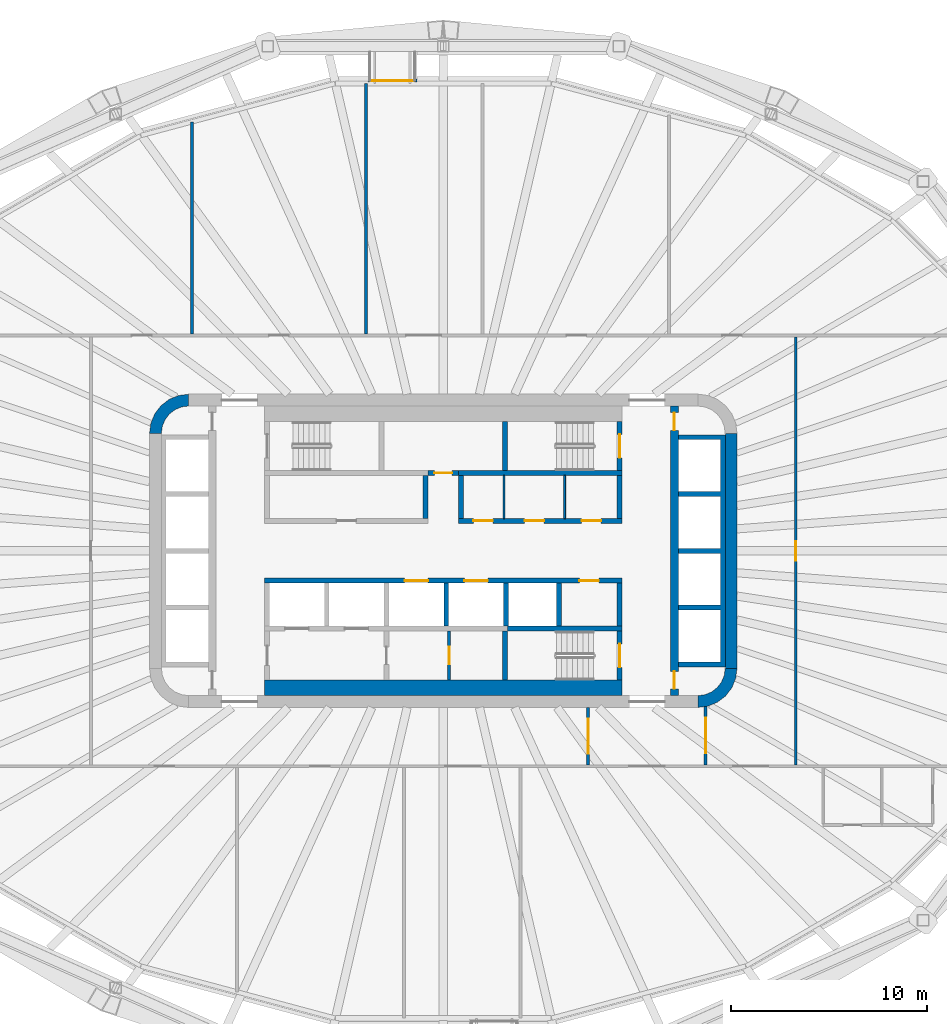
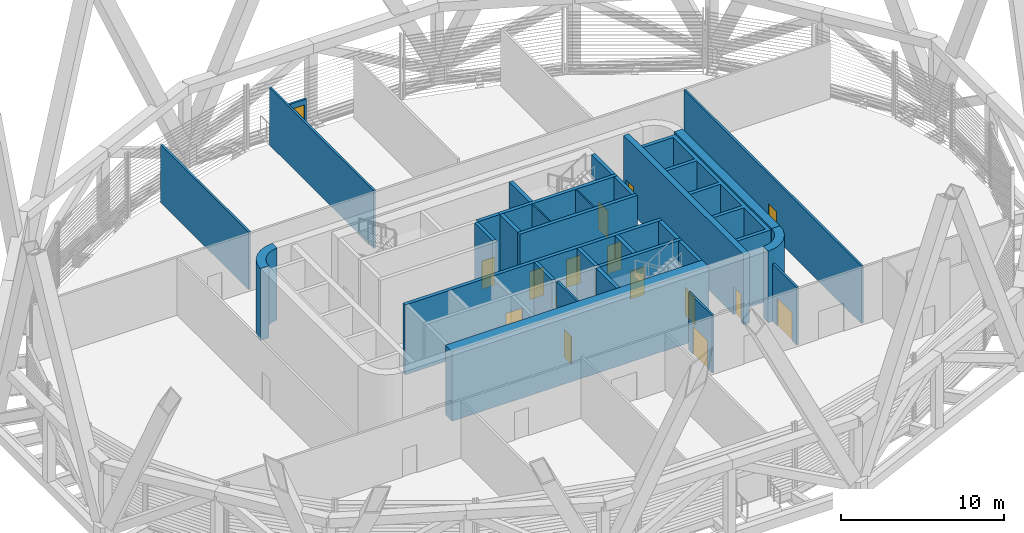
# One storey, part 7 of 18: 31 walls, 16 doors, 16 openings.
"""IFC4 building model written with IfcOpenShell, lengths in metres."""

from ifc_helpers import new_model, si_unit, direction, frame, frame_2d, origin, place, context, subcontext, project, spatial, polyline, rectangle, outline, extrude, material, layer, layer_set, type_object, element, fill, save


model = new_model("IFC4")

# Units and contexts
model_context = context("Model", 3, precision=1e-05, world=origin(), true_north=direction((0.0, 1.0)))
body_context = subcontext(model_context, "Body", "Model", "MODEL_VIEW")
ifc_project = project(units=[si_unit("LENGTHUNIT", "METRE"), si_unit("AREAUNIT", "SQUARE_METRE"), si_unit("VOLUMEUNIT", "CUBIC_METRE"), si_unit("PLANEANGLEUNIT", "RADIAN"), si_unit("MASSUNIT", "GRAM", prefix="KILO")], contexts=[model_context])

# Site, building, storey
site_placement = place(None, origin())
site = spatial("IfcSite", under=ifc_project, at=site_placement, CompositionType="ELEMENT")
building_placement = place(site_placement, origin())
building = spatial("IfcBuilding", under=site, at=building_placement, Name="Sahrelin Media Tower", CompositionType="ELEMENT")
storey_placement = place(building_placement, frame((0.0, 0.0, 96.60009765625)))
storey = spatial("IfcBuildingStorey", under=building, at=storey_placement, Name="L18", CompositionType="ELEMENT", Elevation=96.60009765625)

# Walls
ifc_material_1 = material(Name="Concrete C60/75", Category="concrete")
ifc_layer_1 = layer(ifc_material_1, 0.60009765625)
ifc_layer_set_1 = layer_set([ifc_layer_1], Name="Core wall 600")
wall_type_1 = type_object("IfcWallType", Name="Core wall 600", PredefinedType="SHEAR", material=ifc_layer_set_1)
wall_1_placement = place(storey_placement, frame((14.699951171875, -6.0, 0.0), z_axis=(0.0, 0.0, 1.0), x_axis=(0.0, 1.0, 0.0)))
element("IfcWall", 1, at=wall_1_placement, inside=storey, type_object=wall_type_1, Name="Core wall E L18", PredefinedType="SHEAR", context=body_context, shape_type="SweptSolid", body=[
    extrude(rectangle(XDim=12.0, YDim=0.60009765625, at=frame_2d((6.0, 0.0))), origin(), (0.0, 0.0, 1.0), 5.39990234375),
])
placement = place(storey_placement, origin())
element("IfcWall", 2, at=placement, inside=storey, type_object=wall_type_1, Name="Core wall corner NW L18", PredefinedType="SHEAR", context=body_context, shape_type="SweptSolid", body=[
    extrude(outline(polyline([(-15.0, 6.0), (-14.394775390625, 6.0), (-14.347412109375, 6.361083984375), (-14.2080078125, 6.697509765625), (-13.986328125, 6.986328125), (-13.697509765625, 7.2080078125), (-13.361083984375, 7.347412109375), (-13.0, 7.394775390625), (-13.0, 8.0), (-13.517578125, 7.931884765625), (-14.0, 7.732177734375), (-14.414306640625, 7.414306640625), (-14.732177734375, 7.0), (-14.931884765625, 6.517578125), (-15.0, 6.0)])), origin(), (0.0, 0.0, 1.0), 5.39990234375),
])
element("IfcWall", 3, at=placement, inside=storey, type_object=wall_type_1, Name="Core wall corner SE L18", PredefinedType="SHEAR", context=body_context, shape_type="SweptSolid", body=[
    extrude(outline(polyline([(15.0, -6.0), (14.394775390625, -6.0), (14.347412109375, -6.361083984375), (14.2080078125, -6.697509765625), (13.986328125, -6.986328125), (13.697509765625, -7.2080078125), (13.361083984375, -7.347412109375), (13.0, -7.394775390625), (13.0, -8.0), (13.517578125, -7.931884765625), (14.0, -7.732177734375), (14.414306640625, -7.414306640625), (14.732177734375, -7.0), (14.931884765625, -6.517578125), (15.0, -6.0)])), origin(), (0.0, 0.0, 1.0), 5.39990234375),
])

# Wall, opening, door
ifc_material_2 = material(Name="Fire-rated gypsum board partition")
ifc_layer_2 = layer(ifc_material_2, 0.14990234375)
ifc_layer_set_2 = layer_set([ifc_layer_2], Name="Fire-rated lobby wall 150")
wall_type_2 = type_object("IfcWallType", Name="Fire-rated lobby wall 150", PredefinedType="PARTITIONING", material=ifc_layer_set_2)
wall_4_placement = place(storey_placement, frame((7.39990234375, -10.925048828125, 0.0), z_axis=(0.0, 0.0, 1.0), x_axis=(0.0, 1.0, 0.0)))
wall_4 = element("IfcWall", 4, at=wall_4_placement, inside=storey, type_object=wall_type_2, Name="Wall", PredefinedType="PARTITIONING", context=body_context, shape_type="SweptSolid", body=[
    extrude(rectangle(XDim=2.925048828125, YDim=0.14990234375, at=frame_2d((1.46240234375, 0.0))), origin(), (0.0, 0.0, 1.0), 4.326904296875),
])
opening_1_placement = place(wall_4_placement, frame((0.56201171875, 0.0, 0.0)))
opening_1 = element("IfcOpeningElement", 5, at=opening_1_placement, cuts=wall_4, Name="Opening L18-D29", PredefinedType="OPENING", context=body_context, shape_type="SweptSolid", body=[
    extrude(rectangle(XDim=1.800048828125, YDim=2.10009765625, at=frame_2d((0.89990234375, 1.050048828125))), frame((0.0, 0.074951171875, 0.0), z_axis=(0.0, -1.0, 0.0), x_axis=(1.0, 0.0, 0.0)), (0.0, 0.0, 1.0), 0.14990234375),
])
ifc_material_3 = material(Name="Steel fire door leaf", Category="steel")
door_type_1 = type_object("IfcDoorType", Name="Lobby double door 1800 x 2100 EI 60", OperationType="DOUBLE_DOOR_SINGLE_SWING", PredefinedType="DOOR", material=ifc_material_3)
door_1_placement = place(opening_1_placement, origin())
door_1 = element("IfcDoor", 6, at=door_1_placement, inside=storey, type_object=door_type_1, Name="Lobby double door", OperationType="DOUBLE_DOOR_SINGLE_SWING", OverallHeight=2.10009765625, OverallWidth=1.800048828125, PredefinedType="DOOR", context=body_context, shape_type="SweptSolid", body=[
    extrude(rectangle(XDim=1.800048828125, YDim=2.10009765625, at=frame_2d((0.89990234375, 1.050048828125))), frame((0.0, 0.02490234375, 0.0), z_axis=(0.0, -1.0, 0.0), x_axis=(1.0, 0.0, 0.0)), (0.0, 0.0, 1.0), 0.050048828125),
])
fill(opening_1, door_1)

wall_5_placement = place(storey_placement, frame((13.39990234375, -10.925048828125, 0.0), z_axis=(0.0, 0.0, 1.0), x_axis=(0.0, 1.0, 0.0)))
wall_5 = element("IfcWall", 7, at=wall_5_placement, inside=storey, type_object=wall_type_2, Name="Wall", PredefinedType="PARTITIONING", context=body_context, shape_type="SweptSolid", body=[
    extrude(rectangle(XDim=2.9775390625, YDim=0.14990234375, at=frame_2d((1.48876953125, 0.0))), origin(), (0.0, 0.0, 1.0), 4.326904296875),
])
opening_2_placement = place(wall_5_placement, frame((0.589111328125, 0.0, 0.0)))
opening_2 = element("IfcOpeningElement", 8, at=opening_2_placement, cuts=wall_5, Name="Opening L18-D30", PredefinedType="OPENING", context=body_context, shape_type="SweptSolid", body=[
    extrude(rectangle(XDim=1.800048828125, YDim=2.10009765625, at=frame_2d((0.89990234375, 1.050048828125))), frame((0.0, 0.074951171875, 0.0), z_axis=(0.0, -1.0, 0.0), x_axis=(1.0, 0.0, 0.0)), (0.0, 0.0, 1.0), 0.14990234375),
])
door_2_placement = place(opening_2_placement, origin())
door_2 = element("IfcDoor", 9, at=door_2_placement, inside=storey, type_object=door_type_1, Name="Lobby double door", OperationType="DOUBLE_DOOR_SINGLE_SWING", OverallHeight=2.10009765625, OverallWidth=1.800048828125, PredefinedType="DOOR", context=body_context, shape_type="SweptSolid", body=[
    extrude(rectangle(XDim=1.800048828125, YDim=2.10009765625, at=frame_2d((0.89990234375, 1.050048828125))), frame((0.0, 0.02490234375, 0.0), z_axis=(0.0, -1.0, 0.0), x_axis=(1.0, 0.0, 0.0)), (0.0, 0.0, 1.0), 0.050048828125),
])
fill(opening_2, door_2)

ifc_layer_3 = layer(ifc_material_2, 0.25)
ifc_layer_set_3 = layer_set([ifc_layer_3], Name="Fire-rated lobby wall 250")
wall_type_3 = type_object("IfcWallType", Name="Fire-rated lobby wall 250", PredefinedType="PARTITIONING", material=ifc_layer_set_3)
wall_6_placement = place(storey_placement, frame((-0.77490234375, 3.97509765625, 0.0), z_axis=(0.0, 0.0, 1.0), x_axis=(1.0, 0.0, 0.0)))
wall_6 = element("IfcWall", 10, at=wall_6_placement, inside=storey, type_object=wall_type_3, Name="Core lobby wall", PredefinedType="PARTITIONING", context=body_context, shape_type="SweptSolid", body=[
    extrude(rectangle(XDim=1.5498046875, YDim=0.25, at=frame_2d((0.77490234375, 0.0))), origin(), (0.0, 0.0, 1.0), 5.25),
])
opening_3_placement = place(wall_6_placement, frame((0.324951171875, 0.0, 0.0)))
opening_3 = element("IfcOpeningElement", 11, at=opening_3_placement, cuts=wall_6, Name="Opening L18-D06", PredefinedType="OPENING", context=body_context, shape_type="SweptSolid", body=[
    extrude(rectangle(XDim=0.89990234375, YDim=2.10009765625, at=frame_2d((0.449951171875, 1.050048828125))), frame((0.0, 0.125, 0.0), z_axis=(0.0, -1.0, 0.0), x_axis=(1.0, 0.0, 0.0)), (0.0, 0.0, 1.0), 0.25),
])
door_type_2 = type_object("IfcDoorType", Name="Riser door 900 x 2100 EI 120", OperationType="NOTDEFINED", PredefinedType="DOOR", material=ifc_material_3)
door_3_placement = place(opening_3_placement, origin())
door_3 = element("IfcDoor", 12, at=door_3_placement, inside=storey, type_object=door_type_2, Name="Core room door", OperationType="SINGLE_SWING_LEFT", OverallHeight=2.10009765625, OverallWidth=0.89990234375, PredefinedType="DOOR", context=body_context, shape_type="SweptSolid", body=[
    extrude(rectangle(XDim=0.89990234375, YDim=2.10009765625, at=frame_2d((0.449951171875, 1.050048828125))), frame((0.0, 0.02490234375, 0.0), z_axis=(0.0, -1.0, 0.0), x_axis=(1.0, 0.0, 0.0)), (0.0, 0.0, 1.0), 0.050048828125),
])
fill(opening_3, door_3)

# Wall, openings, doors
wall_7_placement = place(storey_placement, frame((0.77490234375, 1.52490234375, 0.0), z_axis=(0.0, 0.0, 1.0), x_axis=(1.0, 0.0, 0.0)))
wall_7 = element("IfcWall", 13, at=wall_7_placement, inside=storey, type_object=wall_type_3, Name="Core lobby wall", PredefinedType="PARTITIONING", context=body_context, shape_type="SweptSolid", body=[
    extrude(rectangle(XDim=8.35009765625, YDim=0.25, at=frame_2d((4.175048828125, 0.0))), origin(), (0.0, 0.0, 1.0), 5.25),
])
opening_4_placement = place(wall_7_placement, frame((0.762451171875, 0.0, 0.0)))
opening_4 = element("IfcOpeningElement", 14, at=opening_4_placement, cuts=wall_7, Name="Opening L18-D09", PredefinedType="OPENING", context=body_context, shape_type="SweptSolid", body=[
    extrude(rectangle(XDim=1.0, YDim=2.10009765625, at=frame_2d((0.5, 1.050048828125))), frame((0.0, 0.125, 0.0), z_axis=(0.0, -1.0, 0.0), x_axis=(1.0, 0.0, 0.0)), (0.0, 0.0, 1.0), 0.25),
])
opening_5_placement = place(wall_7_placement, frame((3.375, 0.0, 0.0)))
opening_5 = element("IfcOpeningElement", 15, at=opening_5_placement, cuts=wall_7, Name="Opening L18-D10", PredefinedType="OPENING", context=body_context, shape_type="SweptSolid", body=[
    extrude(rectangle(XDim=1.0, YDim=2.10009765625, at=frame_2d((0.5, 1.050048828125))), frame((0.0, 0.125, 0.0), z_axis=(0.0, -1.0, 0.0), x_axis=(1.0, 0.0, 0.0)), (0.0, 0.0, 1.0), 0.25),
])
opening_6_placement = place(wall_7_placement, frame((6.28759765625, 0.0, 0.0)))
opening_6 = element("IfcOpeningElement", 16, at=opening_6_placement, cuts=wall_7, Name="Opening L18-D11", PredefinedType="OPENING", context=body_context, shape_type="SweptSolid", body=[
    extrude(rectangle(XDim=1.0, YDim=2.10009765625, at=frame_2d((0.5, 1.050048828125))), frame((0.0, 0.125, 0.0), z_axis=(0.0, -1.0, 0.0), x_axis=(1.0, 0.0, 0.0)), (0.0, 0.0, 1.0), 0.25),
])
door_type_3 = type_object("IfcDoorType", Name="Fire door 1000 x 2100 EI 60", OperationType="NOTDEFINED", PredefinedType="DOOR", material=ifc_material_3)
door_4_placement = place(opening_4_placement, origin())
door_4 = element("IfcDoor", 17, at=door_4_placement, inside=storey, type_object=door_type_3, Name="Core room door", OperationType="SINGLE_SWING_LEFT", OverallHeight=2.10009765625, OverallWidth=1.0, PredefinedType="DOOR", context=body_context, shape_type="SweptSolid", body=[
    extrude(rectangle(XDim=1.0, YDim=2.10009765625, at=frame_2d((0.5, 1.050048828125))), frame((0.0, 0.02490234375, 0.0), z_axis=(0.0, -1.0, 0.0), x_axis=(1.0, 0.0, 0.0)), (0.0, 0.0, 1.0), 0.050048828125),
])
fill(opening_4, door_4)
door_5_placement = place(opening_5_placement, origin())
door_5 = element("IfcDoor", 18, at=door_5_placement, inside=storey, type_object=door_type_3, Name="Core room door", OperationType="SINGLE_SWING_LEFT", OverallHeight=2.10009765625, OverallWidth=1.0, PredefinedType="DOOR", context=body_context, shape_type="SweptSolid", body=[
    extrude(rectangle(XDim=1.0, YDim=2.10009765625, at=frame_2d((0.5, 1.050048828125))), frame((0.0, 0.02490234375, 0.0), z_axis=(0.0, -1.0, 0.0), x_axis=(1.0, 0.0, 0.0)), (0.0, 0.0, 1.0), 0.050048828125),
])
fill(opening_5, door_5)
door_6_placement = place(opening_6_placement, origin())
door_6 = element("IfcDoor", 19, at=door_6_placement, inside=storey, type_object=door_type_3, Name="Core room door", OperationType="SINGLE_SWING_LEFT", OverallHeight=2.10009765625, OverallWidth=1.0, PredefinedType="DOOR", context=body_context, shape_type="SweptSolid", body=[
    extrude(rectangle(XDim=1.0, YDim=2.10009765625, at=frame_2d((0.5, 1.050048828125))), frame((0.0, 0.02490234375, 0.0), z_axis=(0.0, -1.0, 0.0), x_axis=(1.0, 0.0, 0.0)), (0.0, 0.0, 1.0), 0.050048828125),
])
fill(opening_6, door_6)

# Walls
for number, where, z_axis, x_axis, name in (
    (20, (-0.89990234375, 1.64990234375, 0.0), (0.0, 0.0, 1.0), (0.0, 1.0, 0.0), "Core lobby wall"),
    (21, (9.0, 1.64990234375, 0.0), (0.0, 0.0, 1.0), (0.0, 1.0, 0.0), "Core lobby wall"),
    (22, (0.89990234375, 1.64990234375, 0.0), (0.0, 0.0, 1.0), (0.0, 1.0, 0.0), "Core lobby wall"),
):
    element("IfcWall", number, at=place(storey_placement, frame(where, z_axis=z_axis, x_axis=x_axis)), inside=storey, type_object=wall_type_3, Name=name, PredefinedType="PARTITIONING", context=body_context, shape_type="SweptSolid", body=[
        extrude(rectangle(XDim=2.2001953125, YDim=0.25, at=frame_2d((1.10009765625, 0.0))), origin(), (0.0, 0.0, 1.0), 5.25),
    ])
ifc_layer_4 = layer(ifc_material_2, 0.10009765625)
ifc_layer_set_4 = layer_set([ifc_layer_4], Name="Fire-rated partition 100")
wall_type_4 = type_object("IfcWallType", Name="Fire-rated partition 100", PredefinedType="PARTITIONING", material=ifc_layer_set_4)
for number, where, z_axis, x_axis, name in (
    (23, (3.10009765625, 1.64990234375, 0.0), (0.0, 0.0, 1.0), (0.0, 1.0, 0.0), "Core room partition"),
    (24, (6.199951171875, 1.64990234375, 0.0), (0.0, 0.0, 1.0), (0.0, 1.0, 0.0), "Core room partition"),
):
    element("IfcWall", number, at=place(storey_placement, frame(where, z_axis=z_axis, x_axis=x_axis)), inside=storey, type_object=wall_type_4, Name=name, PredefinedType="PARTITIONING", context=body_context, shape_type="SweptSolid", body=[
        extrude(rectangle(XDim=2.2001953125, YDim=0.10009765625, at=frame_2d((1.10009765625, 0.0))), origin(), (0.0, 0.0, 1.0), 5.25),
    ])

# Wall, opening, door
ifc_layer_5 = layer(ifc_material_2, 0.14990234375)
ifc_layer_set_5 = layer_set([ifc_layer_5], Name="Fire-rated partition 150")
wall_type_5 = type_object("IfcWallType", Name="Fire-rated partition 150", PredefinedType="PARTITIONING", material=ifc_layer_set_5)
wall_8_placement = place(storey_placement, frame((0.300048828125, -6.60009765625, 0.0), z_axis=(0.0, 0.0, 1.0), x_axis=(0.0, 1.0, 0.0)))
wall_8 = element("IfcWall", 25, at=wall_8_placement, inside=storey, type_object=wall_type_5, Name="Core room fire partition", PredefinedType="PARTITIONING", context=body_context, shape_type="SweptSolid", body=[
    extrude(rectangle(XDim=2.5, YDim=0.14990234375, at=frame_2d((1.25, 0.0))), origin(), (0.0, 0.0, 1.0), 5.25),
])
opening_7_placement = place(wall_8_placement, frame((0.800048828125, 0.0, 0.0)))
opening_7 = element("IfcOpeningElement", 26, at=opening_7_placement, cuts=wall_8, Name="Opening L18-D07", PredefinedType="OPENING", context=body_context, shape_type="SweptSolid", body=[
    extrude(rectangle(XDim=0.89990234375, YDim=2.10009765625, at=frame_2d((0.449951171875, 1.050048828125))), frame((0.0, 0.074951171875, 0.0), z_axis=(0.0, -1.0, 0.0), x_axis=(1.0, 0.0, 0.0)), (0.0, 0.0, 1.0), 0.14990234375),
])
door_type_4 = type_object("IfcDoorType", Name="Fire door 900 x 2100 EI 60", OperationType="NOTDEFINED", PredefinedType="DOOR", material=ifc_material_3)
door_7_placement = place(opening_7_placement, origin())
door_7 = element("IfcDoor", 27, at=door_7_placement, inside=storey, type_object=door_type_4, Name="Core room door", OperationType="SINGLE_SWING_RIGHT", OverallHeight=2.10009765625, OverallWidth=0.89990234375, PredefinedType="DOOR", context=body_context, shape_type="SweptSolid", body=[
    extrude(rectangle(XDim=0.89990234375, YDim=2.10009765625, at=frame_2d((0.449951171875, 1.050048828125))), frame((0.0, 0.02490234375, 0.0), z_axis=(0.0, -1.0, 0.0), x_axis=(1.0, 0.0, 0.0)), (0.0, 0.0, 1.0), 0.050048828125),
])
fill(opening_7, door_7)

wall_9_placement = place(storey_placement, frame((18.0, -10.925048828125, 0.0), z_axis=(0.0, 0.0, 1.0), x_axis=(0.0, 1.0, 0.0)))
wall_9 = element("IfcWall", 28, at=wall_9_placement, inside=storey, type_object=wall_type_5, Name="Wall", PredefinedType="PARTITIONING", context=body_context, shape_type="SweptSolid", body=[
    extrude(rectangle(XDim=21.85009765625, YDim=0.14990234375, at=frame_2d((10.925048828125, 0.0))), origin(), (0.0, 0.0, 1.0), 4.326904296875),
])
opening_8_placement = place(wall_9_placement, frame((10.425048828125, 0.0, 0.0)))
opening_8 = element("IfcOpeningElement", 29, at=opening_8_placement, cuts=wall_9, Name="Opening L18-D27", PredefinedType="OPENING", context=body_context, shape_type="SweptSolid", body=[
    extrude(rectangle(XDim=1.0, YDim=2.10009765625, at=frame_2d((0.5, 1.050048828125))), frame((0.0, 0.074951171875, 0.0), z_axis=(0.0, -1.0, 0.0), x_axis=(1.0, 0.0, 0.0)), (0.0, 0.0, 1.0), 0.14990234375),
])
door_8_placement = place(opening_8_placement, origin())
door_8 = element("IfcDoor", 30, at=door_8_placement, inside=storey, type_object=door_type_3, Name="Fire door", OperationType="SINGLE_SWING_RIGHT", OverallHeight=2.10009765625, OverallWidth=1.0, PredefinedType="DOOR", context=body_context, shape_type="SweptSolid", body=[
    extrude(rectangle(XDim=1.0, YDim=2.10009765625, at=frame_2d((0.5, 1.050048828125))), frame((0.0, 0.02490234375, 0.0), z_axis=(0.0, -1.0, 0.0), x_axis=(1.0, 0.0, 0.0)), (0.0, 0.0, 1.0), 0.050048828125),
])
fill(opening_8, door_8)

# Walls
wall_10_placement = place(storey_placement, frame((-3.949951171875, 11.074951171875, 0.0), z_axis=(0.0, 0.0, 1.0), x_axis=(0.0, 1.0, 0.0)))
element("IfcWall", 31, at=wall_10_placement, inside=storey, type_object=wall_type_5, Name="Wall", PredefinedType="PARTITIONING", context=body_context, shape_type="SweptSolid", body=[
    extrude(rectangle(XDim=12.791259765625, YDim=0.14990234375, at=frame_2d((6.3955078125, 0.0))), origin(), (0.0, 0.0, 1.0), 4.326904296875),
])
wall_11_placement = place(storey_placement, frame((-12.830078125, 11.074951171875, 0.0), z_axis=(0.0, 0.0, 1.0), x_axis=(0.0, 1.0, 0.0)))
element("IfcWall", 32, at=wall_11_placement, inside=storey, type_object=wall_type_5, Name="Wall", PredefinedType="PARTITIONING", context=body_context, shape_type="SweptSolid", body=[
    extrude(rectangle(XDim=10.832275390625, YDim=0.14990234375, at=frame_2d((5.416015625, 0.0))), origin(), (0.0, 0.0, 1.0), 4.326904296875),
])

# Wall, openings, doors
ifc_layer_6 = layer(ifc_material_1, 0.25)
ifc_layer_set_6 = layer_set([ifc_layer_6], Name="Lift shaft wall 250")
wall_type_6 = type_object("IfcWallType", Name="Lift shaft wall 250", PredefinedType="SOLIDWALL", material=ifc_layer_set_6)
wall_12_placement = place(storey_placement, frame((-9.125, -1.52490234375, 0.0), z_axis=(0.0, 0.0, 1.0), x_axis=(1.0, 0.0, 0.0)))
wall_12 = element("IfcWall", 33, at=wall_12_placement, inside=storey, type_object=wall_type_6, Name="Lift shaft wall", PredefinedType="SOLIDWALL", context=body_context, shape_type="SweptSolid", body=[
    extrude(rectangle(XDim=18.25, YDim=0.25, at=frame_2d((9.125, 0.0))), origin(), (0.0, 0.0, 1.0), 5.25),
])
opening_9_placement = place(wall_12_placement, frame((7.14990234375, 0.0, 0.0)))
opening_9 = element("IfcOpeningElement", 34, at=opening_9_placement, cuts=wall_12, Name="Opening L18-LD-SV1", PredefinedType="OPENING", context=body_context, shape_type="SweptSolid", body=[
    extrude(rectangle(XDim=1.199951171875, YDim=2.10009765625, at=frame_2d((0.60009765625, 1.050048828125))), frame((0.0, 0.125, 0.0), z_axis=(0.0, -1.0, 0.0), x_axis=(1.0, 0.0, 0.0)), (0.0, 0.0, 1.0), 0.25),
])
opening_10_placement = place(wall_12_placement, frame((10.199951171875, 0.0, 0.0)))
opening_10 = element("IfcOpeningElement", 35, at=opening_10_placement, cuts=wall_12, Name="Opening L18-LD-SV2", PredefinedType="OPENING", context=body_context, shape_type="SweptSolid", body=[
    extrude(rectangle(XDim=1.199951171875, YDim=2.10009765625, at=frame_2d((0.60009765625, 1.050048828125))), frame((0.0, 0.125, 0.0), z_axis=(0.0, -1.0, 0.0), x_axis=(1.0, 0.0, 0.0)), (0.0, 0.0, 1.0), 0.25),
])
opening_11_placement = place(wall_12_placement, frame((16.074951171875, 0.0, 0.0)))
opening_11 = element("IfcOpeningElement", 36, at=opening_11_placement, cuts=wall_12, Name="Opening L18-D12", PredefinedType="OPENING", context=body_context, shape_type="SweptSolid", body=[
    extrude(rectangle(XDim=1.0, YDim=2.10009765625, at=frame_2d((0.5, 1.050048828125))), frame((0.0, 0.125, 0.0), z_axis=(0.0, -1.0, 0.0), x_axis=(1.0, 0.0, 0.0)), (0.0, 0.0, 1.0), 0.25),
])
door_9_placement = place(opening_11_placement, origin())
door_9 = element("IfcDoor", 37, at=door_9_placement, inside=storey, type_object=door_type_3, Name="Core room door", OperationType="SINGLE_SWING_RIGHT", OverallHeight=2.10009765625, OverallWidth=1.0, PredefinedType="DOOR", context=body_context, shape_type="SweptSolid", body=[
    extrude(rectangle(XDim=1.0, YDim=2.10009765625, at=frame_2d((0.5, 1.050048828125))), frame((0.0, 0.02490234375, 0.0), z_axis=(0.0, -1.0, 0.0), x_axis=(1.0, 0.0, 0.0)), (0.0, 0.0, 1.0), 0.050048828125),
])
fill(opening_11, door_9)
ifc_material_4 = material(Name="Stainless steel", Category="steel")
door_type_5 = type_object("IfcDoorType", Name="Lift landing door 1200 x 2100 EI 120", OperationType="DOUBLE_DOOR_SLIDING", PredefinedType="DOOR", material=ifc_material_4)
door_10_placement = place(opening_9_placement, origin())
door_10 = element("IfcDoor", 38, at=door_10_placement, inside=storey, type_object=door_type_5, Name="Lift landing door SV1", OperationType="DOUBLE_DOOR_SLIDING", OverallHeight=2.10009765625, OverallWidth=1.199951171875, PredefinedType="DOOR", context=body_context, shape_type="SweptSolid", body=[
    extrude(rectangle(XDim=1.199951171875, YDim=2.10009765625, at=frame_2d((0.60009765625, 1.050048828125))), frame((0.0, 0.02490234375, 0.0), z_axis=(0.0, -1.0, 0.0), x_axis=(1.0, 0.0, 0.0)), (0.0, 0.0, 1.0), 0.050048828125),
])
fill(opening_9, door_10)
door_11_placement = place(opening_10_placement, origin())
door_11 = element("IfcDoor", 39, at=door_11_placement, inside=storey, type_object=door_type_5, Name="Lift landing door SV2", OperationType="DOUBLE_DOOR_SLIDING", OverallHeight=2.10009765625, OverallWidth=1.199951171875, PredefinedType="DOOR", context=body_context, shape_type="SweptSolid", body=[
    extrude(rectangle(XDim=1.199951171875, YDim=2.10009765625, at=frame_2d((0.60009765625, 1.050048828125))), frame((0.0, 0.02490234375, 0.0), z_axis=(0.0, -1.0, 0.0), x_axis=(1.0, 0.0, 0.0)), (0.0, 0.0, 1.0), 0.050048828125),
])
fill(opening_10, door_11)

# Walls
wall_13_placement = place(storey_placement, frame((3.27490234375, -3.97509765625, 0.0), z_axis=(0.0, 0.0, 1.0), x_axis=(1.0, 0.0, 0.0)))
element("IfcWall", 40, at=wall_13_placement, inside=storey, type_object=wall_type_6, Name="Lift shaft wall", PredefinedType="SOLIDWALL", context=body_context, shape_type="SweptSolid", body=[
    extrude(rectangle(XDim=5.85009765625, YDim=0.25, at=frame_2d((2.925048828125, 0.0))), origin(), (0.0, 0.0, 1.0), 5.25),
])
for number, where, z_axis, x_axis, name in (
    (41, (0.14990234375, -3.85009765625, 0.0), (0.0, 0.0, 1.0), (0.0, 1.0, 0.0), "Lift shaft wall"),
    (42, (3.199951171875, -3.85009765625, 0.0), (0.0, 0.0, 1.0), (0.0, 1.0, 0.0), "Lift shaft wall"),
    (43, (5.89990234375, -3.85009765625, 0.0), (0.0, 0.0, 1.0), (0.0, 1.0, 0.0), "Lift shaft wall"),
    (44, (9.0, -3.85009765625, 0.0), (0.0, 0.0, 1.0), (0.0, 1.0, 0.0), "Lift shaft wall"),
):
    element("IfcWall", number, at=place(storey_placement, frame(where, z_axis=z_axis, x_axis=x_axis)), inside=storey, type_object=wall_type_6, Name=name, PredefinedType="SOLIDWALL", context=body_context, shape_type="SweptSolid", body=[
        extrude(rectangle(XDim=2.2001953125, YDim=0.25, at=frame_2d((1.10009765625, 0.0))), origin(), (0.0, 0.0, 1.0), 5.25),
    ])
element("IfcWall", 45, at=placement, inside=storey, type_object=wall_type_6, Name="Lift shaft wall", PredefinedType="SOLIDWALL", context=body_context, shape_type="SweptSolid", body=[
    extrude(outline(polyline([(12.0, -5.675048828125), (12.0, -5.925048828125), (14.14990234375, -5.925048828125), (14.39990234375, -5.925048828125), (14.39990234375, -5.675048828125), (14.39990234375, -3.02490234375), (14.39990234375, -2.77490234375), (14.39990234375, -0.125), (14.39990234375, 0.125), (14.39990234375, 2.77490234375), (14.39990234375, 3.02490234375), (14.39990234375, 5.675048828125), (14.39990234375, 5.925048828125), (14.14990234375, 5.925048828125), (12.0, 5.925048828125), (12.0, 5.675048828125), (14.14990234375, 5.675048828125), (14.14990234375, 3.02490234375), (12.0, 3.02490234375), (12.0, 2.77490234375), (14.14990234375, 2.77490234375), (14.14990234375, 0.125), (12.0, 0.125), (12.0, -0.125), (14.14990234375, -0.125), (14.14990234375, -2.77490234375), (12.0, -2.77490234375), (12.0, -3.02490234375), (14.14990234375, -3.02490234375), (14.14990234375, -5.675048828125), (12.0, -5.675048828125)])), origin(), (0.0, 0.0, 1.0), 5.25),
])

# Wall, openings, doors
ifc_layer_7 = layer(ifc_material_1, 0.39990234375)
ifc_layer_set_7 = layer_set([ifc_layer_7], Name="Lift shaft wall 400")
wall_type_7 = type_object("IfcWallType", Name="Lift shaft wall 400", PredefinedType="SOLIDWALL", material=ifc_layer_set_7)
wall_15_placement = place(storey_placement, frame((11.800048828125, -7.39990234375, 0.0), z_axis=(0.0, 0.0, 1.0), x_axis=(0.0, 1.0, 0.0)))
wall_15 = element("IfcWall", 46, at=wall_15_placement, inside=storey, type_object=wall_type_7, Name="Lift shaft wall", PredefinedType="SOLIDWALL", context=body_context, shape_type="SweptSolid", body=[
    extrude(rectangle(XDim=14.7998046875, YDim=0.39990234375, at=frame_2d((7.39990234375, 0.0))), origin(), (0.0, 0.0, 1.0), 5.25),
])
opening_12_placement = place(wall_15_placement, frame((13.552490234375, 0.0, 0.0)))
opening_12 = element("IfcOpeningElement", 47, at=opening_12_placement, cuts=wall_15, Name="Opening L18-D15", PredefinedType="OPENING", context=body_context, shape_type="SweptSolid", body=[
    extrude(rectangle(XDim=0.89990234375, YDim=2.10009765625, at=frame_2d((0.449951171875, 1.050048828125))), frame((0.0, 0.199951171875, 0.0), z_axis=(0.0, -1.0, 0.0), x_axis=(1.0, 0.0, 0.0)), (0.0, 0.0, 1.0), 0.39990234375),
])
opening_13_placement = place(wall_15_placement, frame((0.347412109375, 0.0, 0.0)))
opening_13 = element("IfcOpeningElement", 48, at=opening_13_placement, cuts=wall_15, Name="Opening L18-D16", PredefinedType="OPENING", context=body_context, shape_type="SweptSolid", body=[
    extrude(rectangle(XDim=0.89990234375, YDim=2.10009765625, at=frame_2d((0.449951171875, 1.050048828125))), frame((0.0, 0.199951171875, 0.0), z_axis=(0.0, -1.0, 0.0), x_axis=(1.0, 0.0, 0.0)), (0.0, 0.0, 1.0), 0.39990234375),
])
door_12_placement = place(opening_12_placement, origin())
door_12 = element("IfcDoor", 49, at=door_12_placement, inside=storey, type_object=door_type_2, Name="Riser door", OperationType="SINGLE_SWING_RIGHT", OverallHeight=2.10009765625, OverallWidth=0.89990234375, PredefinedType="DOOR", context=body_context, shape_type="SweptSolid", body=[
    extrude(rectangle(XDim=0.89990234375, YDim=2.10009765625, at=frame_2d((0.449951171875, 1.050048828125))), frame((0.0, 0.02490234375, 0.0), z_axis=(0.0, -1.0, 0.0), x_axis=(1.0, 0.0, 0.0)), (0.0, 0.0, 1.0), 0.050048828125),
])
fill(opening_12, door_12)
door_13_placement = place(opening_13_placement, origin())
door_13 = element("IfcDoor", 50, at=door_13_placement, inside=storey, type_object=door_type_2, Name="Riser door", OperationType="SINGLE_SWING_RIGHT", OverallHeight=2.10009765625, OverallWidth=0.89990234375, PredefinedType="DOOR", context=body_context, shape_type="SweptSolid", body=[
    extrude(rectangle(XDim=0.89990234375, YDim=2.10009765625, at=frame_2d((0.449951171875, 1.050048828125))), frame((0.0, 0.02490234375, 0.0), z_axis=(0.0, -1.0, 0.0), x_axis=(1.0, 0.0, 0.0)), (0.0, 0.0, 1.0), 0.050048828125),
])
fill(opening_13, door_13)

# Wall, opening, door
ifc_material_5 = material(Name="Aluminium louvre cladding 6063-T6", Category="aluminium")
ifc_layer_8 = layer(ifc_material_5, 0.14990234375)
ifc_layer_set_8 = layer_set([ifc_layer_8], Name="Plant louvre door wall")
wall_type_8 = type_object("IfcWallType", Name="Plant louvre door wall", PredefinedType="SOLIDWALL", material=ifc_layer_set_8)
wall_16_placement = place(storey_placement, frame((-3.85009765625, 24.01611328125, 0.0), z_axis=(0.0, 0.0, 1.0), x_axis=(1.0, 0.0, 0.0)))
wall_16 = element("IfcWall", 51, at=wall_16_placement, inside=storey, type_object=wall_type_8, Name="Plant louvre door wall L18-06", PredefinedType="SOLIDWALL", context=body_context, shape_type="SweptSolid", body=[
    extrude(rectangle(XDim=2.5, YDim=0.14990234375, at=frame_2d((1.25, 0.0))), origin(), (0.0, 0.0, 1.0), 2.5),
])
opening_14_placement = place(wall_16_placement, frame((0.14990234375, 0.0, 0.0)))
opening_14 = element("IfcOpeningElement", 52, at=opening_14_placement, cuts=wall_16, Name="Opening MD03", PredefinedType="OPENING", context=body_context, shape_type="SweptSolid", body=[
    extrude(rectangle(XDim=2.199951171875, YDim=2.10009765625, at=frame_2d((1.10009765625, 1.050048828125))), frame((0.0, 0.074951171875, 0.0), z_axis=(0.0, -1.0, 0.0), x_axis=(1.0, 0.0, 0.0)), (0.0, 0.0, 1.0), 0.14990234375),
])
ifc_material_6 = material(Name="Champagne anodised aluminium 6063-T6", Category="aluminium")
door_type_6 = type_object("IfcDoorType", Name="Plant maintenance door 2200x2100", OperationType="DOUBLE_DOOR_SINGLE_SWING", PredefinedType="DOOR", material=ifc_material_6)
door_14_placement = place(opening_14_placement, origin())
door_14 = element("IfcDoor", 53, at=door_14_placement, inside=storey, type_object=door_type_6, Name="Plant maintenance door MD03", OperationType="DOUBLE_DOOR_SINGLE_SWING", OverallHeight=2.10009765625, OverallWidth=2.199951171875, PredefinedType="DOOR", context=body_context, shape_type="SweptSolid", body=[
    extrude(rectangle(XDim=2.199951171875, YDim=2.10009765625, at=frame_2d((1.10009765625, 1.050048828125))), frame((0.0, 0.02490234375, 0.0), z_axis=(0.0, -1.0, 0.0), x_axis=(1.0, 0.0, 0.0)), (0.0, 0.0, 1.0), 0.050048828125),
])
fill(opening_14, door_14)

ifc_layer_9 = layer(ifc_material_1, 0.25)
ifc_layer_set_9 = layer_set([ifc_layer_9], Name="Stair enclosure wall 250")
wall_type_9 = type_object("IfcWallType", Name="Stair enclosure wall 250", PredefinedType="SOLIDWALL", material=ifc_layer_set_9)
wall_17_placement = place(storey_placement, frame((9.0, 4.10009765625, 0.0), z_axis=(0.0, 0.0, 1.0), x_axis=(0.0, 1.0, 0.0)))
wall_17 = element("IfcWall", 54, at=wall_17_placement, inside=storey, type_object=wall_type_9, Name="Stair enclosure wall", PredefinedType="SOLIDWALL", context=body_context, shape_type="SweptSolid", body=[
    extrude(rectangle(XDim=2.5, YDim=0.25, at=frame_2d((1.25, 0.0))), origin(), (0.0, 0.0, 1.0), 5.25),
])
opening_15_placement = place(wall_17_placement, frame((0.64990234375, 0.0, 0.0)))
opening_15 = element("IfcOpeningElement", 55, at=opening_15_placement, cuts=wall_17, Name="Opening L18-D02", PredefinedType="OPENING", context=body_context, shape_type="SweptSolid", body=[
    extrude(rectangle(XDim=1.199951171875, YDim=2.10009765625, at=frame_2d((0.60009765625, 1.050048828125))), frame((0.0, 0.125, 0.0), z_axis=(0.0, -1.0, 0.0), x_axis=(1.0, 0.0, 0.0)), (0.0, 0.0, 1.0), 0.25),
])
door_type_7 = type_object("IfcDoorType", Name="Stair door 1200 x 2100 EI 120", OperationType="NOTDEFINED", PredefinedType="DOOR", material=ifc_material_3)
door_15_placement = place(opening_15_placement, origin())
door_15 = element("IfcDoor", 56, at=door_15_placement, inside=storey, type_object=door_type_7, Name="Stair door ST3", OperationType="SINGLE_SWING_LEFT", OverallHeight=2.10009765625, OverallWidth=1.199951171875, PredefinedType="DOOR", context=body_context, shape_type="SweptSolid", body=[
    extrude(rectangle(XDim=1.199951171875, YDim=2.10009765625, at=frame_2d((0.60009765625, 1.050048828125))), frame((0.0, 0.02490234375, 0.0), z_axis=(0.0, -1.0, 0.0), x_axis=(1.0, 0.0, 0.0)), (0.0, 0.0, 1.0), 0.050048828125),
])
fill(opening_15, door_15)

wall_18_placement = place(storey_placement, frame((9.0, -6.60009765625, 0.0), z_axis=(0.0, 0.0, 1.0), x_axis=(0.0, 1.0, 0.0)))
wall_18 = element("IfcWall", 57, at=wall_18_placement, inside=storey, type_object=wall_type_9, Name="Stair enclosure wall", PredefinedType="SOLIDWALL", context=body_context, shape_type="SweptSolid", body=[
    extrude(rectangle(XDim=2.5, YDim=0.25, at=frame_2d((1.25, 0.0))), origin(), (0.0, 0.0, 1.0), 5.25),
])
opening_16_placement = place(wall_18_placement, frame((0.64990234375, 0.0, 0.0)))
opening_16 = element("IfcOpeningElement", 58, at=opening_16_placement, cuts=wall_18, Name="Opening L18-D03", PredefinedType="OPENING", context=body_context, shape_type="SweptSolid", body=[
    extrude(rectangle(XDim=1.199951171875, YDim=2.10009765625, at=frame_2d((0.60009765625, 1.050048828125))), frame((0.0, 0.125, 0.0), z_axis=(0.0, -1.0, 0.0), x_axis=(1.0, 0.0, 0.0)), (0.0, 0.0, 1.0), 0.25),
])
door_16_placement = place(opening_16_placement, origin())
door_16 = element("IfcDoor", 59, at=door_16_placement, inside=storey, type_object=door_type_7, Name="Stair door ST2", OperationType="SINGLE_SWING_LEFT", OverallHeight=2.10009765625, OverallWidth=1.199951171875, PredefinedType="DOOR", context=body_context, shape_type="SweptSolid", body=[
    extrude(rectangle(XDim=1.199951171875, YDim=2.10009765625, at=frame_2d((0.60009765625, 1.050048828125))), frame((0.0, 0.02490234375, 0.0), z_axis=(0.0, -1.0, 0.0), x_axis=(1.0, 0.0, 0.0)), (0.0, 0.0, 1.0), 0.050048828125),
])
fill(opening_16, door_16)

# Walls
for number, where, z_axis, x_axis, name in (
    (60, (3.14990234375, 4.10009765625, 0.0), (0.0, 0.0, 1.0), (0.0, 1.0, 0.0), "Stair enclosure wall"),
    (61, (3.14990234375, -6.60009765625, 0.0), (0.0, 0.0, 1.0), (0.0, 1.0, 0.0), "Stair enclosure wall"),
):
    element("IfcWall", number, at=place(storey_placement, frame(where, z_axis=z_axis, x_axis=x_axis)), inside=storey, type_object=wall_type_9, Name=name, PredefinedType="SOLIDWALL", context=body_context, shape_type="SweptSolid", body=[
        extrude(rectangle(XDim=2.5, YDim=0.25, at=frame_2d((1.25, 0.0))), origin(), (0.0, 0.0, 1.0), 5.25),
    ])
wall_19_placement = place(storey_placement, frame((0.77490234375, 3.97509765625, 0.0), z_axis=(0.0, 0.0, 1.0), x_axis=(1.0, 0.0, 0.0)))
element("IfcWall", 62, at=wall_19_placement, inside=storey, type_object=wall_type_9, Name="Stair enclosure wall", PredefinedType="SOLIDWALL", context=body_context, shape_type="SweptSolid", body=[
    extrude(rectangle(XDim=8.35009765625, YDim=0.25, at=frame_2d((4.175048828125, 0.0))), origin(), (0.0, 0.0, 1.0), 5.25),
])
ifc_layer_10 = layer(ifc_material_1, 0.800048828125)
ifc_layer_set_10 = layer_set([ifc_layer_10], Name="Stair enclosure wall 800")
wall_type_10 = type_object("IfcWallType", Name="Stair enclosure wall 800", PredefinedType="SOLIDWALL", material=ifc_layer_set_10)
wall_20_placement = place(storey_placement, frame((-9.125, -7.0, 0.0), z_axis=(0.0, 0.0, 1.0), x_axis=(1.0, 0.0, 0.0)))
element("IfcWall", 63, at=wall_20_placement, inside=storey, type_object=wall_type_10, Name="Stair enclosure wall", PredefinedType="SOLIDWALL", context=body_context, shape_type="SweptSolid", body=[
    extrude(rectangle(XDim=18.25, YDim=0.800048828125, at=frame_2d((9.125, 0.0))), origin(), (0.0, 0.0, 1.0), 5.25),
])

save(model, "model.ifc")
